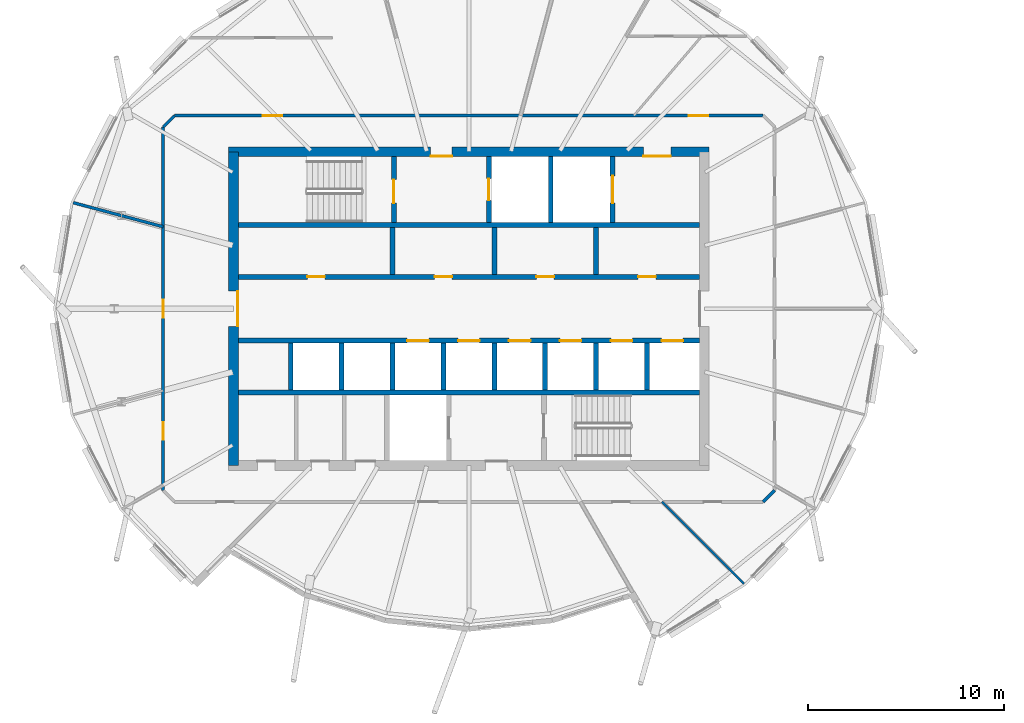
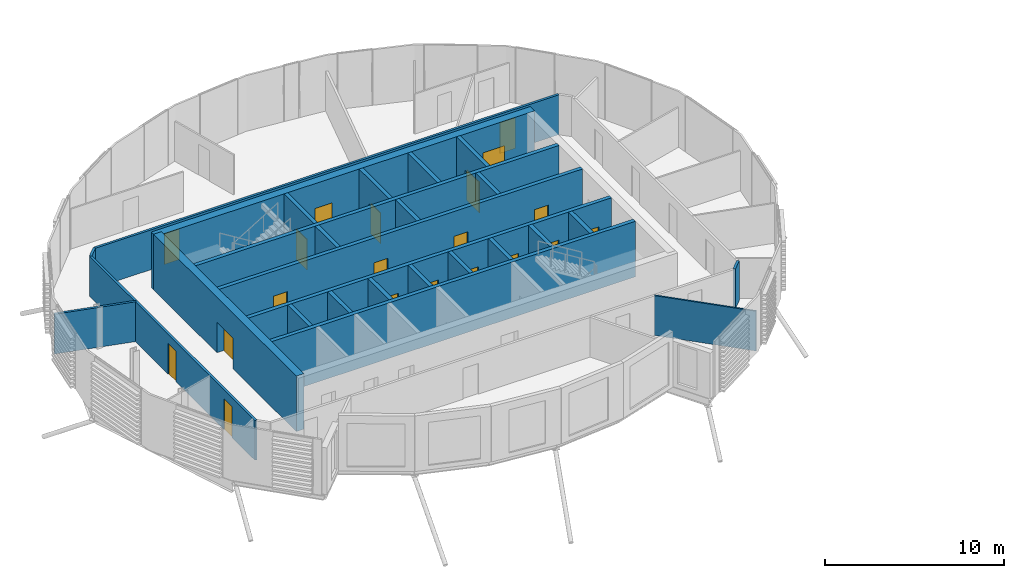
# One storey, part 21 of 41: 27 walls, 20 doors, 20 openings.
"""IFC4 building model written with IfcOpenShell, lengths in metres."""

from ifc_helpers import new_model, si_unit, direction, frame, frame_2d, origin, place, context, subcontext, project, spatial, rectangle, extrude, material, layer, layer_set, type_object, element, fill, save


model = new_model("IFC4")

# Units and contexts
model_context = context("Model", 3, precision=1e-05, world=origin(), true_north=direction((0.0, 1.0)))
body_context = subcontext(model_context, "Body", "Model", "MODEL_VIEW")
ifc_project = project(units=[si_unit("LENGTHUNIT", "METRE"), si_unit("AREAUNIT", "SQUARE_METRE"), si_unit("VOLUMEUNIT", "CUBIC_METRE"), si_unit("PLANEANGLEUNIT", "RADIAN"), si_unit("MASSUNIT", "GRAM", prefix="KILO")], contexts=[model_context])

# Site, building, storey
site_placement = place(None, origin())
site = spatial("IfcSite", under=ifc_project, at=site_placement, CompositionType="ELEMENT")
building_placement = place(site_placement, origin())
building = spatial("IfcBuilding", under=site, at=building_placement, Name="Rimbun Link Towers", CompositionType="ELEMENT")
storey_placement = place(building_placement, frame((0.0, 0.0, 214.300048828125)))
storey = spatial("IfcBuildingStorey", under=building, at=storey_placement, Name="L52", CompositionType="ELEMENT", Elevation=214.300048828125)

# Wall, openings, doors
ifc_material_1 = material(Name="Concrete C60/75", Category="concrete")
ifc_layer_1 = layer(ifc_material_1, 0.5)
ifc_layer_set_1 = layer_set([ifc_layer_1], Name="Core shear wall 500")
wall_type_1 = type_object("IfcWallType", Name="Core shear wall 500", PredefinedType="SHEAR", material=ifc_layer_set_1)
wall_1_placement = place(storey_placement, frame((-44.0, 8.0, 0.0), z_axis=(0.0, 0.0, 1.0), x_axis=(1.0, 0.0, 0.0)))
wall_1 = element("IfcWall", 1, at=wall_1_placement, inside=storey, type_object=wall_type_1, Name="L52 T1 core wall N", PredefinedType="SHEAR", context=body_context, shape_type="SweptSolid", body=[
    extrude(rectangle(XDim=24.5, YDim=0.5, at=frame_2d((12.25, 0.0))), origin(), (0.0, 0.0, 1.0), 3.800048828125),
])
opening_1_placement = place(wall_1_placement, frame((10.300048828125, 0.0, 0.0)))
opening_1 = element("IfcOpeningElement", 2, at=opening_1_placement, cuts=wall_1, Name="Opening C1DCF01N", PredefinedType="OPENING", context=body_context, shape_type="SweptSolid", body=[
    extrude(rectangle(XDim=1.10009765625, YDim=2.10009765625, at=frame_2d((0.550048828125, 1.050048828125))), frame((0.0, 0.260009765625, 0.0), z_axis=(0.0, -1.0, 0.0), x_axis=(1.0, 0.0, 0.0)), (0.0, 0.0, 1.0), 0.52001953125),
])
opening_2_placement = place(wall_1_placement, frame((21.14990234375, 0.0, 0.0)))
opening_2 = element("IfcOpeningElement", 3, at=opening_2_placement, cuts=wall_1, Name="Opening C1DSL02N", PredefinedType="OPENING", context=body_context, shape_type="SweptSolid", body=[
    extrude(rectangle(XDim=1.39990234375, YDim=2.10009765625, at=frame_2d((0.699951171875, 1.050048828125))), frame((0.0, 0.260009765625, 0.0), z_axis=(0.0, -1.0, 0.0), x_axis=(1.0, 0.0, 0.0)), (0.0, 0.0, 1.0), 0.52001953125),
])
ifc_material_2 = material(Name="Steel fire door set", Category="steel")
door_type_1 = type_object("IfcDoorType", Name="Core fire door single", OperationType="SINGLE_SWING_LEFT", PredefinedType="DOOR", material=ifc_material_2)
door_1_placement = place(opening_1_placement, origin())
door_1 = element("IfcDoor", 4, at=door_1_placement, inside=storey, type_object=door_type_1, Name="L52 T1 firefighting lobby n door", OperationType="SINGLE_SWING_LEFT", OverallHeight=2.10009765625, OverallWidth=1.10009765625, PredefinedType="DOOR", context=body_context, shape_type="SweptSolid", body=[
    extrude(rectangle(XDim=1.10009765625, YDim=2.10009765625, at=frame_2d((0.550048828125, 1.050048828125))), frame((0.0, -0.2001953125, 0.0), z_axis=(0.0, -1.0, 0.0), x_axis=(1.0, 0.0, 0.0)), (0.0, 0.0, 1.0), 0.050048828125),
])
fill(opening_1, door_1)
ifc_material_3 = material(Name="Steel fire door set", Category="steel")
door_type_2 = type_object("IfcDoorType", Name="Service lobby door double", OperationType="DOUBLE_DOOR_SINGLE_SWING", PredefinedType="DOOR", material=ifc_material_3)
door_2_placement = place(opening_2_placement, origin())
door_2 = element("IfcDoor", 5, at=door_2_placement, inside=storey, type_object=door_type_2, Name="L52 T1 service lobby door", OperationType="DOUBLE_DOOR_SINGLE_SWING", OverallHeight=2.10009765625, OverallWidth=1.39990234375, PredefinedType="DOOR", context=body_context, shape_type="SweptSolid", body=[
    extrude(rectangle(XDim=1.39990234375, YDim=2.10009765625, at=frame_2d((0.699951171875, 1.050048828125))), frame((0.0, -0.2001953125, 0.0), z_axis=(0.0, -1.0, 0.0), x_axis=(1.0, 0.0, 0.0)), (0.0, 0.0, 1.0), 0.050048828125),
])
fill(opening_2, door_2)

# Wall, opening, door
wall_2_placement = place(storey_placement, frame((-43.75, -8.0, 0.0), z_axis=(0.0, 0.0, 1.0), x_axis=(0.0, 1.0, 0.0)))
wall_2 = element("IfcWall", 6, at=wall_2_placement, inside=storey, type_object=wall_type_1, Name="L52 T1 core wall W", PredefinedType="SHEAR", context=body_context, shape_type="SweptSolid", body=[
    extrude(rectangle(XDim=16.0, YDim=0.5, at=frame_2d((8.0, 0.0))), origin(), (0.0, 0.0, 1.0), 3.800048828125),
])
opening_3_placement = place(wall_2_placement, frame((7.10009765625, 0.0, 0.0)))
opening_3 = element("IfcOpeningElement", 7, at=opening_3_placement, cuts=wall_2, Name="Opening C1DCL01W", PredefinedType="OPENING", context=body_context, shape_type="SweptSolid", body=[
    extrude(rectangle(XDim=1.800048828125, YDim=2.10009765625, at=frame_2d((0.89990234375, 1.050048828125))), frame((0.0, 0.260009765625, 0.0), z_axis=(0.0, -1.0, 0.0), x_axis=(1.0, 0.0, 0.0)), (0.0, 0.0, 1.0), 0.52001953125),
])
ifc_material_4 = material(Name="Steel fire door set", Category="steel")
door_type_3 = type_object("IfcDoorType", Name="Core lobby door double", OperationType="DOUBLE_DOOR_SINGLE_SWING", PredefinedType="DOOR", material=ifc_material_4)
door_3_placement = place(opening_3_placement, origin())
door_3 = element("IfcDoor", 8, at=door_3_placement, inside=storey, type_object=door_type_3, Name="L52 T1 lift lobby door", OperationType="DOUBLE_DOOR_SINGLE_SWING", OverallHeight=2.10009765625, OverallWidth=1.800048828125, PredefinedType="DOOR", context=body_context, shape_type="SweptSolid", body=[
    extrude(rectangle(XDim=1.800048828125, YDim=2.10009765625, at=frame_2d((0.89990234375, 1.050048828125))), frame((0.0, -0.2001953125, 0.0), z_axis=(0.0, -1.0, 0.0), x_axis=(1.0, 0.0, 0.0)), (0.0, 0.0, 1.0), 0.050048828125),
])
fill(opening_3, door_3)

# Wall, openings, doors
ifc_material_5 = material(Name="Plasterboard on steel stud, mineral wool", Category="steel")
ifc_layer_2 = layer(ifc_material_5, 0.14990234375)
ifc_layer_set_2 = layer_set([ifc_layer_2], Name="Corridor wall EI 30 150 mm")
wall_type_2 = type_object("IfcWallType", Name="Corridor wall EI 30 150 mm", PredefinedType="PARTITIONING", material=ifc_layer_set_2)
wall_3_placement = place(storey_placement, frame((-46.753662109375, 9.844970703125, 0.0), z_axis=(0.0, 0.0, 1.0), x_axis=(1.0, 0.0, 0.0)))
wall_3 = element("IfcWall", 9, at=wall_3_placement, inside=storey, type_object=wall_type_2, Name="Corridor wall EI 30 150 mm", PredefinedType="PARTITIONING", context=body_context, shape_type="SweptSolid", body=[
    extrude(rectangle(XDim=30.00732421875, YDim=0.14990234375, at=frame_2d((15.003662109375, 0.0))), origin(), (0.0, 0.0, 1.0), 2.721923828125),
])
opening_4_placement = place(wall_3_placement, frame((26.2119140625, 0.0, 0.0)))
opening_4 = element("IfcOpeningElement", 10, at=opening_4_placement, cuts=wall_3, Name="Opening D01", PredefinedType="OPENING", context=body_context, shape_type="SweptSolid", body=[
    extrude(rectangle(XDim=1.0, YDim=2.10009765625, at=frame_2d((0.5, 1.050048828125))), frame((0.0, 0.0849609375, 0.0), z_axis=(0.0, -1.0, 0.0), x_axis=(1.0, 0.0, 0.0)), (0.0, 0.0, 1.0), 0.169921875),
])
opening_5_placement = place(wall_3_placement, frame((4.50244140625, 0.0, 0.0)))
opening_5 = element("IfcOpeningElement", 11, at=opening_5_placement, cuts=wall_3, Name="Opening D01", PredefinedType="OPENING", context=body_context, shape_type="SweptSolid", body=[
    extrude(rectangle(XDim=1.0, YDim=2.10009765625, at=frame_2d((0.5, 1.050048828125))), frame((0.0, 0.0849609375, 0.0), z_axis=(0.0, -1.0, 0.0), x_axis=(1.0, 0.0, 0.0)), (0.0, 0.0, 1.0), 0.169921875),
])
ifc_material_6 = material(Name="Fire-resisting timber door leaf", Category="wood")
door_type_4 = type_object("IfcDoorType", Name="Fire door FD30S 1000", OperationType="NOTDEFINED", PredefinedType="DOOR", material=ifc_material_6)
door_4_placement = place(opening_4_placement, origin())
door_4 = element("IfcDoor", 12, at=door_4_placement, inside=storey, type_object=door_type_4, Name="Fire door FD30S 1000 to Reception", OperationType="SINGLE_SWING_LEFT", OverallHeight=2.10009765625, OverallWidth=1.0, PredefinedType="DOOR", context=body_context, shape_type="SweptSolid", body=[
    extrude(rectangle(XDim=1.0, YDim=2.10009765625, at=frame_2d((0.5, 1.050048828125))), frame((0.0, 0.02490234375, 0.0), z_axis=(0.0, -1.0, 0.0), x_axis=(1.0, 0.0, 0.0)), (0.0, 0.0, 1.0), 0.050048828125),
])
fill(opening_4, door_4)
door_5_placement = place(opening_5_placement, origin())
door_5 = element("IfcDoor", 13, at=door_5_placement, inside=storey, type_object=door_type_4, Name="Fire door FD30S 1000 to Reception", OperationType="SINGLE_SWING_RIGHT", OverallHeight=2.10009765625, OverallWidth=1.0, PredefinedType="DOOR", context=body_context, shape_type="SweptSolid", body=[
    extrude(rectangle(XDim=1.0, YDim=2.10009765625, at=frame_2d((0.5, 1.050048828125))), frame((0.0, 0.02490234375, 0.0), z_axis=(0.0, -1.0, 0.0), x_axis=(1.0, 0.0, 0.0)), (0.0, 0.0, 1.0), 0.050048828125),
])
fill(opening_5, door_5)

# Wall
wall_4_placement = place(storey_placement, frame((-16.746337890625, -9.844970703125, 0.0), z_axis=(0.0, 0.0, 1.0), x_axis=(0.707106781187, 0.707106781187, 0.0)))
element("IfcWall", 14, at=wall_4_placement, inside=storey, type_object=wall_type_2, Name="Corridor wall EI 30 150 mm", PredefinedType="PARTITIONING", context=body_context, shape_type="SweptSolid", body=[
    extrude(rectangle(XDim=0.822021484375, YDim=0.14990234375, at=frame_2d((0.4111328125, 0.0))), origin(), (0.0, 0.0, 1.0), 2.721923828125),
])

# Wall, openings, doors
wall_5_placement = place(storey_placement, frame((-47.3349609375, -9.263671875, 0.0), z_axis=(0.0, 0.0, 1.0), x_axis=(0.0, 1.0, 0.0)))
wall_5 = element("IfcWall", 15, at=wall_5_placement, inside=storey, type_object=wall_type_2, Name="Corridor wall EI 30 150 mm", PredefinedType="PARTITIONING", context=body_context, shape_type="SweptSolid", body=[
    extrude(rectangle(XDim=18.52734375, YDim=0.14990234375, at=frame_2d((9.263671875, 0.0))), origin(), (0.0, 0.0, 1.0), 2.721923828125),
])
opening_6_placement = place(wall_5_placement, frame((8.813720703125, 0.0, 0.0)))
opening_6 = element("IfcOpeningElement", 16, at=opening_6_placement, cuts=wall_5, Name="Opening D02", PredefinedType="OPENING", context=body_context, shape_type="SweptSolid", body=[
    extrude(rectangle(XDim=0.89990234375, YDim=2.10009765625, at=frame_2d((0.449951171875, 1.050048828125))), frame((0.0, 0.0849609375, 0.0), z_axis=(0.0, -1.0, 0.0), x_axis=(1.0, 0.0, 0.0)), (0.0, 0.0, 1.0), 0.169921875),
])
opening_7_placement = place(wall_5_placement, frame((2.585693359375, 0.0, 0.0)))
opening_7 = element("IfcOpeningElement", 17, at=opening_7_placement, cuts=wall_5, Name="Opening D02", PredefinedType="OPENING", context=body_context, shape_type="SweptSolid", body=[
    extrude(rectangle(XDim=0.89990234375, YDim=2.10009765625, at=frame_2d((0.449951171875, 1.050048828125))), frame((0.0, 0.0849609375, 0.0), z_axis=(0.0, -1.0, 0.0), x_axis=(1.0, 0.0, 0.0)), (0.0, 0.0, 1.0), 0.169921875),
])
ifc_material_7 = material(Name="Fire-resisting timber door leaf", Category="wood")
door_type_5 = type_object("IfcDoorType", Name="Fire door FD30S 900", OperationType="NOTDEFINED", PredefinedType="DOOR", material=ifc_material_7)
door_6_placement = place(opening_6_placement, origin())
door_6 = element("IfcDoor", 18, at=door_6_placement, inside=storey, type_object=door_type_5, Name="Fire door FD30S 900 to Meeting room", OperationType="SINGLE_SWING_LEFT", OverallHeight=2.10009765625, OverallWidth=0.89990234375, PredefinedType="DOOR", context=body_context, shape_type="SweptSolid", body=[
    extrude(rectangle(XDim=0.89990234375, YDim=2.10009765625, at=frame_2d((0.449951171875, 1.050048828125))), frame((0.0, 0.02490234375, 0.0), z_axis=(0.0, -1.0, 0.0), x_axis=(1.0, 0.0, 0.0)), (0.0, 0.0, 1.0), 0.050048828125),
])
fill(opening_6, door_6)
door_7_placement = place(opening_7_placement, origin())
door_7 = element("IfcDoor", 19, at=door_7_placement, inside=storey, type_object=door_type_5, Name="Fire door FD30S 900 to Open office", OperationType="SINGLE_SWING_RIGHT", OverallHeight=2.10009765625, OverallWidth=0.89990234375, PredefinedType="DOOR", context=body_context, shape_type="SweptSolid", body=[
    extrude(rectangle(XDim=0.89990234375, YDim=2.10009765625, at=frame_2d((0.449951171875, 1.050048828125))), frame((0.0, 0.02490234375, 0.0), z_axis=(0.0, -1.0, 0.0), x_axis=(1.0, 0.0, 0.0)), (0.0, 0.0, 1.0), 0.050048828125),
])
fill(opening_7, door_7)

# Walls
wall_6_placement = place(storey_placement, frame((-46.753662109375, 9.844970703125, 0.0), z_axis=(0.0, 0.0, 1.0), x_axis=(-0.707106781187, -0.707106781187, 0.0)))
element("IfcWall", 20, at=wall_6_placement, inside=storey, type_object=wall_type_2, Name="Corridor wall EI 30 150 mm", PredefinedType="PARTITIONING", context=body_context, shape_type="SweptSolid", body=[
    extrude(rectangle(XDim=0.822021484375, YDim=0.14990234375, at=frame_2d((0.4111328125, 0.0))), origin(), (0.0, 0.0, 1.0), 2.721923828125),
])
ifc_material_8 = material(Name="Plasterboard on steel stud", Category="steel")
ifc_layer_3 = layer(ifc_material_8, 0.10009765625)
ifc_layer_set_3 = layer_set([ifc_layer_3], Name="Plasterboard partition 100 mm")
wall_type_3 = type_object("IfcWallType", Name="Plasterboard partition 100 mm", PredefinedType="PARTITIONING", material=ifc_layer_set_3)
wall_7_placement = place(storey_placement, frame((-17.7236328125, -14.0263671875, 0.0), z_axis=(0.0, 0.0, 1.0), x_axis=(-0.707106781187, 0.707106781187, 0.0)))
element("IfcWall", 21, at=wall_7_placement, inside=storey, type_object=wall_type_3, Name="Plasterboard partition 100 mm", PredefinedType="PARTITIONING", context=body_context, shape_type="SweptSolid", body=[
    extrude(rectangle(XDim=5.913330078125, YDim=0.10009765625, at=frame_2d((2.95654296875, 0.0))), origin(), (0.0, 0.0, 1.0), 2.721923828125),
])
ifc_material_9 = material(Name="Concrete C60/75", Category="concrete")
ifc_layer_4 = layer(ifc_material_9, 0.25)
ifc_layer_set_4 = layer_set([ifc_layer_4], Name="Shaft wall 250")
wall_type_4 = type_object("IfcWallType", Name="Shaft wall 250", PredefinedType="SHEAR", material=ifc_layer_set_4)
for number, where, z_axis, x_axis, name in (
    (22, (-43.5, 4.27490234375, 0.0), (0.0, 0.0, 1.0), (1.0, 0.0, 0.0), "L52 T1 core wall BN"),
    (23, (-43.5, -4.27490234375, 0.0), (0.0, 0.0, 1.0), (1.0, 0.0, 0.0), "L52 T1 core wall BS"),
):
    element("IfcWall", number, at=place(storey_placement, frame(where, z_axis=z_axis, x_axis=x_axis)), inside=storey, type_object=wall_type_4, Name=name, PredefinedType="SHEAR", context=body_context, shape_type="SweptSolid", body=[
        extrude(rectangle(XDim=23.5, YDim=0.25, at=frame_2d((11.75, 0.0))), origin(), (0.0, 0.0, 1.0), 3.800048828125),
    ])

# Wall, openings, doors
wall_8_placement = place(storey_placement, frame((-43.5, 1.625, 0.0), z_axis=(0.0, 0.0, 1.0), x_axis=(1.0, 0.0, 0.0)))
wall_8 = element("IfcWall", 24, at=wall_8_placement, inside=storey, type_object=wall_type_4, Name="L52 T1 core wall FN", PredefinedType="SHEAR", context=body_context, shape_type="SweptSolid", body=[
    extrude(rectangle(XDim=23.5, YDim=0.25, at=frame_2d((11.75, 0.0))), origin(), (0.0, 0.0, 1.0), 3.800048828125),
])
opening_8_placement = place(wall_8_placement, frame((3.5166015625, 0.0, 0.0)))
opening_8 = element("IfcOpeningElement", 25, at=opening_8_placement, cuts=wall_8, Name="Opening C1DRS01FN", PredefinedType="OPENING", context=body_context, shape_type="SweptSolid", body=[
    extrude(rectangle(XDim=0.89990234375, YDim=2.10009765625, at=frame_2d((0.449951171875, 1.050048828125))), frame((0.0, 0.135009765625, 0.0), z_axis=(0.0, -1.0, 0.0), x_axis=(1.0, 0.0, 0.0)), (0.0, 0.0, 1.0), 0.27001953125),
])
opening_9_placement = place(wall_8_placement, frame((10.002685546875, 0.0, 0.0)))
opening_9 = element("IfcOpeningElement", 26, at=opening_9_placement, cuts=wall_8, Name="Opening C1DRS02FN", PredefinedType="OPENING", context=body_context, shape_type="SweptSolid", body=[
    extrude(rectangle(XDim=0.89990234375, YDim=2.10009765625, at=frame_2d((0.449951171875, 1.050048828125))), frame((0.0, 0.135009765625, 0.0), z_axis=(0.0, -1.0, 0.0), x_axis=(1.0, 0.0, 0.0)), (0.0, 0.0, 1.0), 0.27001953125),
])
opening_10_placement = place(wall_8_placement, frame((15.191650390625, 0.0, 0.0)))
opening_10 = element("IfcOpeningElement", 27, at=opening_10_placement, cuts=wall_8, Name="Opening C1DRS03FN", PredefinedType="OPENING", context=body_context, shape_type="SweptSolid", body=[
    extrude(rectangle(XDim=0.89990234375, YDim=2.10009765625, at=frame_2d((0.449951171875, 1.050048828125))), frame((0.0, 0.135009765625, 0.0), z_axis=(0.0, -1.0, 0.0), x_axis=(1.0, 0.0, 0.0)), (0.0, 0.0, 1.0), 0.27001953125),
])
opening_11_placement = place(wall_8_placement, frame((20.380615234375, 0.0, 0.0)))
opening_11 = element("IfcOpeningElement", 28, at=opening_11_placement, cuts=wall_8, Name="Opening C1DRS04FN", PredefinedType="OPENING", context=body_context, shape_type="SweptSolid", body=[
    extrude(rectangle(XDim=0.89990234375, YDim=2.10009765625, at=frame_2d((0.449951171875, 1.050048828125))), frame((0.0, 0.135009765625, 0.0), z_axis=(0.0, -1.0, 0.0), x_axis=(1.0, 0.0, 0.0)), (0.0, 0.0, 1.0), 0.27001953125),
])
ifc_material_10 = material(Name="Steel fire door set", Category="steel")
door_type_6 = type_object("IfcDoorType", Name="Core riser door", OperationType="SINGLE_SWING_LEFT", PredefinedType="DOOR", material=ifc_material_10)
door_8_placement = place(opening_8_placement, origin())
door_8 = element("IfcDoor", 29, at=door_8_placement, inside=storey, type_object=door_type_6, Name="L52 T1 training store door", OperationType="SINGLE_SWING_LEFT", OverallHeight=2.10009765625, OverallWidth=0.89990234375, PredefinedType="DOOR", context=body_context, shape_type="SweptSolid", body=[
    extrude(rectangle(XDim=0.89990234375, YDim=2.10009765625, at=frame_2d((0.449951171875, 1.050048828125))), frame((0.0, 0.02490234375, 0.0), z_axis=(0.0, -1.0, 0.0), x_axis=(1.0, 0.0, 0.0)), (0.0, 0.0, 1.0), 0.050048828125),
])
fill(opening_8, door_8)
door_9_placement = place(opening_9_placement, origin())
door_9 = element("IfcDoor", 30, at=door_9_placement, inside=storey, type_object=door_type_6, Name="L52 T1 print room door", OperationType="SINGLE_SWING_LEFT", OverallHeight=2.10009765625, OverallWidth=0.89990234375, PredefinedType="DOOR", context=body_context, shape_type="SweptSolid", body=[
    extrude(rectangle(XDim=0.89990234375, YDim=2.10009765625, at=frame_2d((0.449951171875, 1.050048828125))), frame((0.0, 0.02490234375, 0.0), z_axis=(0.0, -1.0, 0.0), x_axis=(1.0, 0.0, 0.0)), (0.0, 0.0, 1.0), 0.050048828125),
])
fill(opening_9, door_9)
door_10_placement = place(opening_10_placement, origin())
door_10 = element("IfcDoor", 31, at=door_10_placement, inside=storey, type_object=door_type_6, Name="L52 T1 staff lounge door", OperationType="SINGLE_SWING_LEFT", OverallHeight=2.10009765625, OverallWidth=0.89990234375, PredefinedType="DOOR", context=body_context, shape_type="SweptSolid", body=[
    extrude(rectangle(XDim=0.89990234375, YDim=2.10009765625, at=frame_2d((0.449951171875, 1.050048828125))), frame((0.0, 0.02490234375, 0.0), z_axis=(0.0, -1.0, 0.0), x_axis=(1.0, 0.0, 0.0)), (0.0, 0.0, 1.0), 0.050048828125),
])
fill(opening_10, door_10)
door_11_placement = place(opening_11_placement, origin())
door_11 = element("IfcDoor", 32, at=door_11_placement, inside=storey, type_object=door_type_6, Name="L52 T1 phone room door", OperationType="SINGLE_SWING_LEFT", OverallHeight=2.10009765625, OverallWidth=0.89990234375, PredefinedType="DOOR", context=body_context, shape_type="SweptSolid", body=[
    extrude(rectangle(XDim=0.89990234375, YDim=2.10009765625, at=frame_2d((0.449951171875, 1.050048828125))), frame((0.0, 0.02490234375, 0.0), z_axis=(0.0, -1.0, 0.0), x_axis=(1.0, 0.0, 0.0)), (0.0, 0.0, 1.0), 0.050048828125),
])
fill(opening_11, door_11)

wall_9_placement = place(storey_placement, frame((-43.5, -1.625, 0.0), z_axis=(0.0, 0.0, 1.0), x_axis=(1.0, 0.0, 0.0)))
wall_9 = element("IfcWall", 33, at=wall_9_placement, inside=storey, type_object=wall_type_4, Name="L52 T1 core wall FS", PredefinedType="SHEAR", context=body_context, shape_type="SweptSolid", body=[
    extrude(rectangle(XDim=23.5, YDim=0.25, at=frame_2d((11.75, 0.0))), origin(), (0.0, 0.0, 1.0), 3.800048828125),
])
opening_12_placement = place(wall_9_placement, frame((8.605712890625, 0.0, 0.0)))
opening_12 = element("IfcOpeningElement", 34, at=opening_12_placement, cuts=wall_9, Name="Opening LD-T1-HR1", PredefinedType="OPENING", context=body_context, shape_type="SweptSolid", body=[
    extrude(rectangle(XDim=1.10009765625, YDim=2.10009765625, at=frame_2d((0.550048828125, 1.050048828125))), frame((0.0, 0.135009765625, 0.0), z_axis=(0.0, -1.0, 0.0), x_axis=(1.0, 0.0, 0.0)), (0.0, 0.0, 1.0), 0.27001953125),
])
opening_13_placement = place(wall_9_placement, frame((11.199951171875, 0.0, 0.0)))
opening_13 = element("IfcOpeningElement", 35, at=opening_13_placement, cuts=wall_9, Name="Opening LD-T1-HR2", PredefinedType="OPENING", context=body_context, shape_type="SweptSolid", body=[
    extrude(rectangle(XDim=1.10009765625, YDim=2.10009765625, at=frame_2d((0.550048828125, 1.050048828125))), frame((0.0, 0.135009765625, 0.0), z_axis=(0.0, -1.0, 0.0), x_axis=(1.0, 0.0, 0.0)), (0.0, 0.0, 1.0), 0.27001953125),
])
opening_14_placement = place(wall_9_placement, frame((13.79443359375, 0.0, 0.0)))
opening_14 = element("IfcOpeningElement", 36, at=opening_14_placement, cuts=wall_9, Name="Opening LD-T1-HR3", PredefinedType="OPENING", context=body_context, shape_type="SweptSolid", body=[
    extrude(rectangle(XDim=1.10009765625, YDim=2.10009765625, at=frame_2d((0.550048828125, 1.050048828125))), frame((0.0, 0.135009765625, 0.0), z_axis=(0.0, -1.0, 0.0), x_axis=(1.0, 0.0, 0.0)), (0.0, 0.0, 1.0), 0.27001953125),
])
opening_15_placement = place(wall_9_placement, frame((16.388916015625, 0.0, 0.0)))
opening_15 = element("IfcOpeningElement", 37, at=opening_15_placement, cuts=wall_9, Name="Opening LD-T1-HR4", PredefinedType="OPENING", context=body_context, shape_type="SweptSolid", body=[
    extrude(rectangle(XDim=1.10009765625, YDim=2.10009765625, at=frame_2d((0.550048828125, 1.050048828125))), frame((0.0, 0.135009765625, 0.0), z_axis=(0.0, -1.0, 0.0), x_axis=(1.0, 0.0, 0.0)), (0.0, 0.0, 1.0), 0.27001953125),
])
opening_16_placement = place(wall_9_placement, frame((18.9833984375, 0.0, 0.0)))
opening_16 = element("IfcOpeningElement", 38, at=opening_16_placement, cuts=wall_9, Name="Opening LD-T1-HR5", PredefinedType="OPENING", context=body_context, shape_type="SweptSolid", body=[
    extrude(rectangle(XDim=1.10009765625, YDim=2.10009765625, at=frame_2d((0.550048828125, 1.050048828125))), frame((0.0, 0.135009765625, 0.0), z_axis=(0.0, -1.0, 0.0), x_axis=(1.0, 0.0, 0.0)), (0.0, 0.0, 1.0), 0.27001953125),
])
opening_17_placement = place(wall_9_placement, frame((21.577880859375, 0.0, 0.0)))
opening_17 = element("IfcOpeningElement", 39, at=opening_17_placement, cuts=wall_9, Name="Opening LD-T1-HR6", PredefinedType="OPENING", context=body_context, shape_type="SweptSolid", body=[
    extrude(rectangle(XDim=1.10009765625, YDim=2.10009765625, at=frame_2d((0.550048828125, 1.050048828125))), frame((0.0, 0.135009765625, 0.0), z_axis=(0.0, -1.0, 0.0), x_axis=(1.0, 0.0, 0.0)), (0.0, 0.0, 1.0), 0.27001953125),
])
ifc_material_11 = material(Name="Stainless steel grade 316", Category="steel")
door_type_7 = type_object("IfcDoorType", Name="Lift landing door", OperationType="DOUBLE_DOOR_SLIDING", PredefinedType="DOOR", material=ifc_material_11)
door_12_placement = place(opening_12_placement, origin())
door_12 = element("IfcDoor", 40, at=door_12_placement, inside=storey, type_object=door_type_7, Name="L52 T1 lift HR1 landing door", OperationType="DOUBLE_DOOR_SLIDING", OverallHeight=2.10009765625, OverallWidth=1.10009765625, PredefinedType="DOOR", context=body_context, shape_type="SweptSolid", body=[
    extrude(rectangle(XDim=1.10009765625, YDim=2.10009765625, at=frame_2d((0.550048828125, 1.050048828125))), frame((0.0, 0.02490234375, 0.0), z_axis=(0.0, -1.0, 0.0), x_axis=(1.0, 0.0, 0.0)), (0.0, 0.0, 1.0), 0.050048828125),
])
fill(opening_12, door_12)
door_13_placement = place(opening_13_placement, origin())
door_13 = element("IfcDoor", 41, at=door_13_placement, inside=storey, type_object=door_type_7, Name="L52 T1 lift HR2 landing door", OperationType="DOUBLE_DOOR_SLIDING", OverallHeight=2.10009765625, OverallWidth=1.10009765625, PredefinedType="DOOR", context=body_context, shape_type="SweptSolid", body=[
    extrude(rectangle(XDim=1.10009765625, YDim=2.10009765625, at=frame_2d((0.550048828125, 1.050048828125))), frame((0.0, 0.02490234375, 0.0), z_axis=(0.0, -1.0, 0.0), x_axis=(1.0, 0.0, 0.0)), (0.0, 0.0, 1.0), 0.050048828125),
])
fill(opening_13, door_13)
door_14_placement = place(opening_14_placement, origin())
door_14 = element("IfcDoor", 42, at=door_14_placement, inside=storey, type_object=door_type_7, Name="L52 T1 lift HR3 landing door", OperationType="DOUBLE_DOOR_SLIDING", OverallHeight=2.10009765625, OverallWidth=1.10009765625, PredefinedType="DOOR", context=body_context, shape_type="SweptSolid", body=[
    extrude(rectangle(XDim=1.10009765625, YDim=2.10009765625, at=frame_2d((0.550048828125, 1.050048828125))), frame((0.0, 0.02490234375, 0.0), z_axis=(0.0, -1.0, 0.0), x_axis=(1.0, 0.0, 0.0)), (0.0, 0.0, 1.0), 0.050048828125),
])
fill(opening_14, door_14)
door_15_placement = place(opening_15_placement, origin())
door_15 = element("IfcDoor", 43, at=door_15_placement, inside=storey, type_object=door_type_7, Name="L52 T1 lift HR4 landing door", OperationType="DOUBLE_DOOR_SLIDING", OverallHeight=2.10009765625, OverallWidth=1.10009765625, PredefinedType="DOOR", context=body_context, shape_type="SweptSolid", body=[
    extrude(rectangle(XDim=1.10009765625, YDim=2.10009765625, at=frame_2d((0.550048828125, 1.050048828125))), frame((0.0, 0.02490234375, 0.0), z_axis=(0.0, -1.0, 0.0), x_axis=(1.0, 0.0, 0.0)), (0.0, 0.0, 1.0), 0.050048828125),
])
fill(opening_15, door_15)
door_16_placement = place(opening_16_placement, origin())
door_16 = element("IfcDoor", 44, at=door_16_placement, inside=storey, type_object=door_type_7, Name="L52 T1 lift HR5 landing door", OperationType="DOUBLE_DOOR_SLIDING", OverallHeight=2.10009765625, OverallWidth=1.10009765625, PredefinedType="DOOR", context=body_context, shape_type="SweptSolid", body=[
    extrude(rectangle(XDim=1.10009765625, YDim=2.10009765625, at=frame_2d((0.550048828125, 1.050048828125))), frame((0.0, 0.02490234375, 0.0), z_axis=(0.0, -1.0, 0.0), x_axis=(1.0, 0.0, 0.0)), (0.0, 0.0, 1.0), 0.050048828125),
])
fill(opening_16, door_16)
door_17_placement = place(opening_17_placement, origin())
door_17 = element("IfcDoor", 45, at=door_17_placement, inside=storey, type_object=door_type_7, Name="L52 T1 lift HR6 landing door", OperationType="DOUBLE_DOOR_SLIDING", OverallHeight=2.10009765625, OverallWidth=1.10009765625, PredefinedType="DOOR", context=body_context, shape_type="SweptSolid", body=[
    extrude(rectangle(XDim=1.10009765625, YDim=2.10009765625, at=frame_2d((0.550048828125, 1.050048828125))), frame((0.0, 0.02490234375, 0.0), z_axis=(0.0, -1.0, 0.0), x_axis=(1.0, 0.0, 0.0)), (0.0, 0.0, 1.0), 0.050048828125),
])
fill(opening_17, door_17)

# Walls
for number, where, z_axis, x_axis, name in (
    (46, (-35.6416015625, 1.75, 0.0), (0.0, 0.0, 1.0), (0.0, 1.0, 0.0), "L52 T1 core wall DN2"),
    (47, (-30.452880859375, 1.75, 0.0), (0.0, 0.0, 1.0), (0.0, 1.0, 0.0), "L52 T1 core wall DN4"),
    (48, (-25.263916015625, 1.75, 0.0), (0.0, 0.0, 1.0), (0.0, 1.0, 0.0), "L52 T1 core wall DN6"),
    (49, (-40.83056640625, -4.14990234375, 0.0), (0.0, 0.0, 1.0), (0.0, 1.0, 0.0), "L52 T1 core wall DS0"),
    (50, (-38.236083984375, -4.14990234375, 0.0), (0.0, 0.0, 1.0), (0.0, 1.0, 0.0), "L52 T1 core wall DS1"),
    (51, (-35.6416015625, -4.14990234375, 0.0), (0.0, 0.0, 1.0), (0.0, 1.0, 0.0), "L52 T1 core wall DS2"),
    (52, (-33.047119140625, -4.14990234375, 0.0), (0.0, 0.0, 1.0), (0.0, 1.0, 0.0), "L52 T1 core wall DS3"),
    (53, (-30.452880859375, -4.14990234375, 0.0), (0.0, 0.0, 1.0), (0.0, 1.0, 0.0), "L52 T1 core wall DS4"),
    (54, (-27.8583984375, -4.14990234375, 0.0), (0.0, 0.0, 1.0), (0.0, 1.0, 0.0), "L52 T1 core wall DS5"),
    (55, (-25.263916015625, -4.14990234375, 0.0), (0.0, 0.0, 1.0), (0.0, 1.0, 0.0), "L52 T1 core wall DS6"),
    (56, (-22.66943359375, -4.14990234375, 0.0), (0.0, 0.0, 1.0), (0.0, 1.0, 0.0), "L52 T1 core wall DS7"),
):
    element("IfcWall", number, at=place(storey_placement, frame(where, z_axis=z_axis, x_axis=x_axis)), inside=storey, type_object=wall_type_4, Name=name, PredefinedType="SHEAR", context=body_context, shape_type="SweptSolid", body=[
        extrude(rectangle(XDim=2.39990234375, YDim=0.25, at=frame_2d((1.199951171875, 0.0))), origin(), (0.0, 0.0, 1.0), 3.800048828125),
    ])

# Wall, opening, door
wall_10_placement = place(storey_placement, frame((-35.574951171875, 4.39990234375, 0.0), z_axis=(0.0, 0.0, 1.0), x_axis=(0.0, 1.0, 0.0)))
wall_10 = element("IfcWall", 57, at=wall_10_placement, inside=storey, type_object=wall_type_4, Name="L52 T1 core wall A1", PredefinedType="SHEAR", context=body_context, shape_type="SweptSolid", body=[
    extrude(rectangle(XDim=3.35009765625, YDim=0.25, at=frame_2d((1.675048828125, 0.0))), origin(), (0.0, 0.0, 1.0), 3.800048828125),
])
opening_18_placement = place(wall_10_placement, frame((0.97509765625, 0.0, 0.0)))
opening_18 = element("IfcOpeningElement", 58, at=opening_18_placement, cuts=wall_10, Name="Opening C1DST01A1", PredefinedType="OPENING", context=body_context, shape_type="SweptSolid", body=[
    extrude(rectangle(XDim=1.199951171875, YDim=2.10009765625, at=frame_2d((0.60009765625, 1.050048828125))), frame((0.0, 0.135009765625, 0.0), z_axis=(0.0, -1.0, 0.0), x_axis=(1.0, 0.0, 0.0)), (0.0, 0.0, 1.0), 0.27001953125),
])
ifc_material_12 = material(Name="Steel fire door set", Category="steel")
door_type_8 = type_object("IfcDoorType", Name="Stair door", OperationType="SINGLE_SWING_LEFT", PredefinedType="DOOR", material=ifc_material_12)
door_18_placement = place(opening_18_placement, origin())
door_18 = element("IfcDoor", 59, at=door_18_placement, inside=storey, type_object=door_type_8, Name="L52 T1 stair a door", OperationType="SINGLE_SWING_RIGHT", OverallHeight=2.10009765625, OverallWidth=1.199951171875, PredefinedType="DOOR", context=body_context, shape_type="SweptSolid", body=[
    extrude(rectangle(XDim=1.199951171875, YDim=2.10009765625, at=frame_2d((0.60009765625, 1.050048828125))), frame((0.0, 0.02490234375, 0.0), z_axis=(0.0, -1.0, 0.0), x_axis=(1.0, 0.0, 0.0)), (0.0, 0.0, 1.0), 0.050048828125),
])
fill(opening_18, door_18)

wall_11_placement = place(storey_placement, frame((-30.72509765625, 4.39990234375, 0.0), z_axis=(0.0, 0.0, 1.0), x_axis=(0.0, 1.0, 0.0)))
wall_11 = element("IfcWall", 60, at=wall_11_placement, inside=storey, type_object=wall_type_4, Name="L52 T1 core wall A2", PredefinedType="SHEAR", context=body_context, shape_type="SweptSolid", body=[
    extrude(rectangle(XDim=3.35009765625, YDim=0.25, at=frame_2d((1.675048828125, 0.0))), origin(), (0.0, 0.0, 1.0), 3.800048828125),
])
opening_19_placement = place(wall_11_placement, frame((1.125, 0.0, 0.0)))
opening_19 = element("IfcOpeningElement", 61, at=opening_19_placement, cuts=wall_11, Name="Opening LD-T1-FF1", PredefinedType="OPENING", context=body_context, shape_type="SweptSolid", body=[
    extrude(rectangle(XDim=1.10009765625, YDim=2.10009765625, at=frame_2d((0.550048828125, 1.050048828125))), frame((0.0, 0.135009765625, 0.0), z_axis=(0.0, -1.0, 0.0), x_axis=(1.0, 0.0, 0.0)), (0.0, 0.0, 1.0), 0.27001953125),
])
door_19_placement = place(opening_19_placement, origin())
door_19 = element("IfcDoor", 62, at=door_19_placement, inside=storey, type_object=door_type_7, Name="L52 T1 lift FF1 landing door", OperationType="DOUBLE_DOOR_SLIDING", OverallHeight=2.10009765625, OverallWidth=1.10009765625, PredefinedType="DOOR", context=body_context, shape_type="SweptSolid", body=[
    extrude(rectangle(XDim=1.10009765625, YDim=2.10009765625, at=frame_2d((0.550048828125, 1.050048828125))), frame((0.0, 0.02490234375, 0.0), z_axis=(0.0, -1.0, 0.0), x_axis=(1.0, 0.0, 0.0)), (0.0, 0.0, 1.0), 0.050048828125),
])
fill(opening_19, door_19)

# Wall
wall_12_placement = place(storey_placement, frame((-27.574951171875, 4.39990234375, 0.0), z_axis=(0.0, 0.0, 1.0), x_axis=(0.0, 1.0, 0.0)))
element("IfcWall", 63, at=wall_12_placement, inside=storey, type_object=wall_type_4, Name="L52 T1 core wall A3", PredefinedType="SHEAR", context=body_context, shape_type="SweptSolid", body=[
    extrude(rectangle(XDim=3.35009765625, YDim=0.25, at=frame_2d((1.675048828125, 0.0))), origin(), (0.0, 0.0, 1.0), 3.800048828125),
])

# Wall, opening, door
wall_13_placement = place(storey_placement, frame((-24.425048828125, 4.39990234375, 0.0), z_axis=(0.0, 0.0, 1.0), x_axis=(0.0, 1.0, 0.0)))
wall_13 = element("IfcWall", 64, at=wall_13_placement, inside=storey, type_object=wall_type_4, Name="L52 T1 core wall A4", PredefinedType="SHEAR", context=body_context, shape_type="SweptSolid", body=[
    extrude(rectangle(XDim=3.35009765625, YDim=0.25, at=frame_2d((1.675048828125, 0.0))), origin(), (0.0, 0.0, 1.0), 3.800048828125),
])
opening_20_placement = place(wall_13_placement, frame((0.97509765625, 0.0, 0.0)))
opening_20 = element("IfcOpeningElement", 65, at=opening_20_placement, cuts=wall_13, Name="Opening LD-T1-GL1", PredefinedType="OPENING", context=body_context, shape_type="SweptSolid", body=[
    extrude(rectangle(XDim=1.39990234375, YDim=2.10009765625, at=frame_2d((0.699951171875, 1.050048828125))), frame((0.0, 0.135009765625, 0.0), z_axis=(0.0, -1.0, 0.0), x_axis=(1.0, 0.0, 0.0)), (0.0, 0.0, 1.0), 0.27001953125),
])
ifc_material_13 = material(Name="Stainless steel grade 316", Category="steel")
door_type_9 = type_object("IfcDoorType", Name="Goods lift landing door", OperationType="DOUBLE_DOOR_SLIDING", PredefinedType="DOOR", material=ifc_material_13)
door_20_placement = place(opening_20_placement, origin())
door_20 = element("IfcDoor", 66, at=door_20_placement, inside=storey, type_object=door_type_9, Name="L52 T1 lift GL1 landing door", OperationType="DOUBLE_DOOR_SLIDING", OverallHeight=2.10009765625, OverallWidth=1.39990234375, PredefinedType="DOOR", context=body_context, shape_type="SweptSolid", body=[
    extrude(rectangle(XDim=1.39990234375, YDim=2.10009765625, at=frame_2d((0.699951171875, 1.050048828125))), frame((0.0, 0.02490234375, 0.0), z_axis=(0.0, -1.0, 0.0), x_axis=(1.0, 0.0, 0.0)), (0.0, 0.0, 1.0), 0.050048828125),
])
fill(opening_20, door_20)

# Wall
ifc_material_14 = material(Name="Plasterboard on steel stud, mineral wool", Category="steel")
ifc_layer_5 = layer(ifc_material_14, 0.14990234375)
ifc_layer_set_5 = layer_set([ifc_layer_5], Name="Tenancy separation wall EI 60 150 mm")
wall_type_5 = type_object("IfcWallType", Name="Tenancy separation wall EI 60 150 mm", PredefinedType="PARTITIONING", material=ifc_layer_set_5)
wall_14_placement = place(storey_placement, frame((-47.3349609375, 4.176025390625, 0.0), z_axis=(0.0, 0.0, 1.0), x_axis=(-0.96593474065, 0.258785773964, 0.0)))
element("IfcWall", 67, at=wall_14_placement, inside=storey, type_object=wall_type_5, Name="Tenancy separation wall EI 60 150 mm", PredefinedType="PARTITIONING", context=body_context, shape_type="SweptSolid", body=[
    extrude(rectangle(XDim=4.748291015625, YDim=0.14990234375, at=frame_2d((2.3740234375, 0.0))), origin(), (0.0, 0.0, 1.0), 2.721923828125),
])

save(model, "model.ifc")
